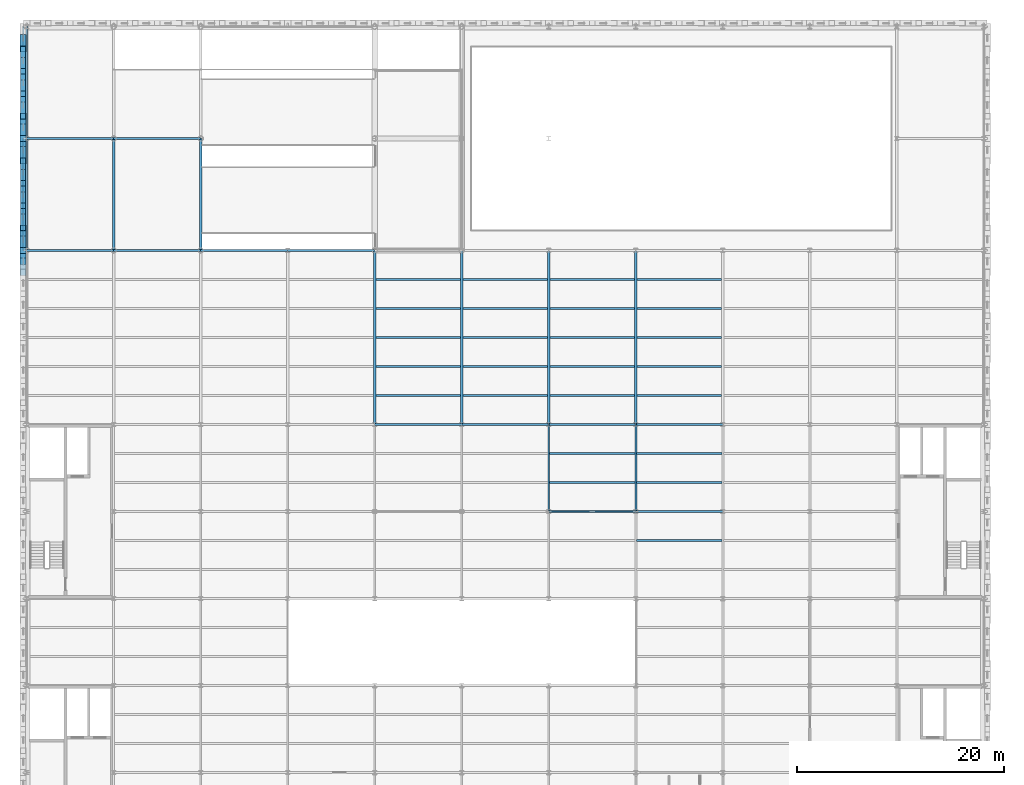
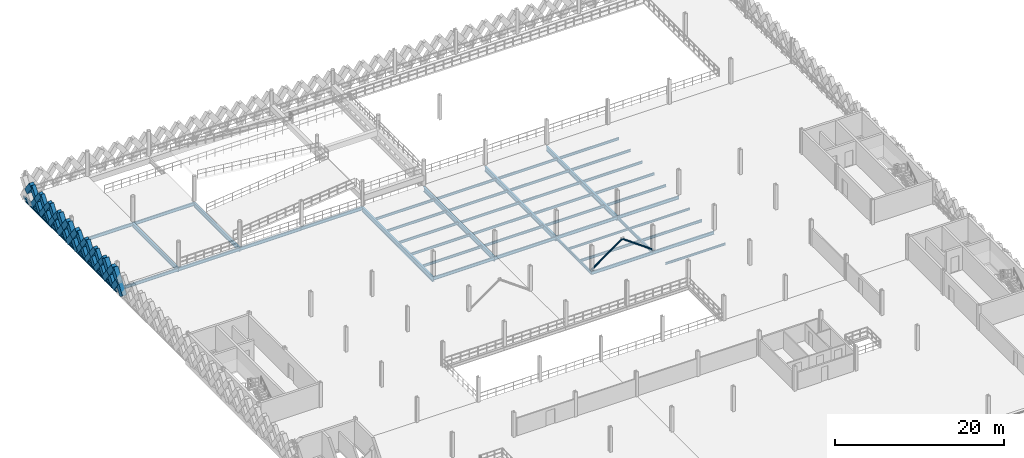
# One storey, part 29 of 79: 47 beams, 34 members.
"""IFC4 building model written with IfcOpenShell, lengths in metres."""

from ifc_helpers import new_model, si_unit, direction, frame, origin, origin_2d, place, context, subcontext, project, spatial, rectangle, hollow_rectangle, hollow_circle, i_section, extrude, material, material_profile, profile_set, type_object, element, save


model = new_model("IFC4")

# Units and contexts
model_context = context("Model", 3, precision=1e-05, world=origin(), true_north=direction((0.0, 1.0)))
body_context = subcontext(model_context, "Body", "Model", "MODEL_VIEW")
ifc_project = project(units=[si_unit("LENGTHUNIT", "METRE"), si_unit("AREAUNIT", "SQUARE_METRE"), si_unit("VOLUMEUNIT", "CUBIC_METRE"), si_unit("PLANEANGLEUNIT", "RADIAN"), si_unit("MASSUNIT", "GRAM", prefix="KILO"), si_unit("THERMODYNAMICTEMPERATUREUNIT", "KELVIN"), si_unit("POWERUNIT", "WATT")], contexts=[model_context])

# Site, building, storey
site_placement = place(None, origin())
site = spatial("IfcSite", under=ifc_project, at=site_placement, CompositionType="ELEMENT")
building_placement = place(site_placement, origin())
building = spatial("IfcBuilding", under=site, at=building_placement, Name="Tembeka Court Mobility Hub", CompositionType="ELEMENT")
storey_placement = place(building_placement, frame((0.0, 0.0, 9.0)))
storey = spatial("IfcBuildingStorey", under=building, at=storey_placement, Name="L02", CompositionType="ELEMENT", Elevation=9.0)

# Beams
ifc_material_1 = material(Name="Steel S355", Category="steel")
ifc_material_profile_1 = material_profile(ifc_material_1, i_section(OverallWidth=0.18994140625, OverallDepth=0.45703125, WebThickness=0.009033203125, FlangeThickness=0.014404296875, FilletRadius=0.01025390625, at=origin_2d()), Name="UKB 457x191x74")
ifc_profile_set_1 = profile_set([ifc_material_profile_1], Name="Steel S355")
beam_type_1 = type_object("IfcBeamType", Name="BM-B01", PredefinedType="BEAM", material=ifc_profile_set_1)
beam_1_placement = place(storey_placement, frame((50.39990234375, 72.0, -0.448486328125), z_axis=(1.0, 0.0, 0.0), x_axis=(0.0, 1.0, 0.0)))
element("IfcBeam", 1, at=beam_1_placement, inside=storey, type_object=beam_type_1, Name="Beam B01 (BM-L02-X1268)", PredefinedType="BEAM", context=body_context, shape_type="SweptSolid", body=[
    extrude(i_section(OverallWidth=0.18994140625, OverallDepth=0.45703125, WebThickness=0.009033203125, FlangeThickness=0.014404296875, FilletRadius=0.01025390625, at=origin_2d()), origin(), (0.0, 0.0, 1.0), 8.400146484375),
])
for number, where, z_axis, x_axis, name in (
    (2, (58.800048828125, 72.0, -0.448486328125), (1.0, 0.0, 0.0), (0.0, 1.0, 0.0), "Beam B01 (BM-L02-X1269)"),
    (3, (33.60009765625, 80.39990234375, -0.448486328125), (1.0, 0.0, 0.0), (0.0, 1.0, 0.0), "Beam B01 (BM-L02-X1276)"),
    (4, (42.0, 80.39990234375, -0.448486328125), (1.0, 0.0, 0.0), (0.0, 1.0, 0.0), "Beam B01 (BM-L02-X1277)"),
):
    element("IfcBeam", number, at=place(storey_placement, frame(where, z_axis=z_axis, x_axis=x_axis)), inside=storey, type_object=beam_type_1, Name=name, PredefinedType="BEAM", context=body_context, shape_type="SweptSolid", body=[
        extrude(i_section(OverallWidth=0.18994140625, OverallDepth=0.45703125, WebThickness=0.009033203125, FlangeThickness=0.014404296875, FilletRadius=0.01025390625, at=origin_2d()), origin(), (0.0, 0.0, 1.0), 8.39990234375),
    ])
beam_2_placement = place(storey_placement, frame((50.39990234375, 80.39990234375, -0.448486328125), z_axis=(1.0, 0.0, 0.0), x_axis=(0.0, 1.0, 0.0)))
element("IfcBeam", 5, at=beam_2_placement, inside=storey, type_object=beam_type_1, Name="Beam B01 (BM-L02-X1278)", PredefinedType="BEAM", context=body_context, shape_type="SweptSolid", body=[
    extrude(i_section(OverallWidth=0.18994140625, OverallDepth=0.45703125, WebThickness=0.009033203125, FlangeThickness=0.014404296875, FilletRadius=0.01025390625, at=origin_2d()), origin(), (0.0, 0.0, 1.0), 8.400146484375),
])
for number, where, z_axis, x_axis, name in (
    (6, (58.800048828125, 80.39990234375, -0.448486328125), (1.0, 0.0, 0.0), (0.0, 1.0, 0.0), "Beam B01 (BM-L02-X1279)"),
    (7, (0.0, 97.199951171875, -0.478515625), (1.0, 0.0, 0.0), (0.0, 1.0, 0.0), "Beam B01 (BM-L02-X1283)"),
):
    element("IfcBeam", number, at=place(storey_placement, frame(where, z_axis=z_axis, x_axis=x_axis)), inside=storey, type_object=beam_type_1, Name=name, PredefinedType="BEAM", context=body_context, shape_type="SweptSolid", body=[
        extrude(i_section(OverallWidth=0.18994140625, OverallDepth=0.45703125, WebThickness=0.009033203125, FlangeThickness=0.014404296875, FilletRadius=0.01025390625, at=origin_2d()), origin(), (0.0, 0.0, 1.0), 8.39990234375),
    ])
beam_3_placement = place(storey_placement, frame((8.39990234375, 97.199951171875, -0.478515625), z_axis=(1.0, 0.0, 0.0), x_axis=(0.0, 1.0, 0.0)))
element("IfcBeam", 8, at=beam_3_placement, inside=storey, type_object=beam_type_1, Name="Beam B01 (BM-L02-X1284)", PredefinedType="BEAM", context=body_context, shape_type="SweptSolid", body=[
    extrude(i_section(OverallWidth=0.18994140625, OverallDepth=0.45703125, WebThickness=0.009033203125, FlangeThickness=0.014404296875, FilletRadius=0.01025390625, at=origin_2d()), origin(), (0.0, 0.0, 1.0), 8.400146484375),
])
beam_4_placement = place(storey_placement, frame((16.800048828125, 97.199951171875, -0.478515625), z_axis=(1.0, 0.0, 0.0), x_axis=(0.0, 1.0, 0.0)))
element("IfcBeam", 9, at=beam_4_placement, inside=storey, type_object=beam_type_1, Name="Beam B01 (BM-L02-X1285)", PredefinedType="BEAM", context=body_context, shape_type="SweptSolid", body=[
    extrude(i_section(OverallWidth=0.18994140625, OverallDepth=0.45703125, WebThickness=0.009033203125, FlangeThickness=0.014404296875, FilletRadius=0.01025390625, at=origin_2d()), origin(), (0.0, 0.0, 1.0), 8.39990234375),
])
beam_5_placement = place(storey_placement, frame((25.199951171875, 97.199951171875, -0.448486328125), z_axis=(1.0, 0.0, 0.0), x_axis=(0.0, 1.0, 0.0)))
element("IfcBeam", 10, at=beam_5_placement, inside=storey, type_object=beam_type_1, Name="Beam B01 (BM-L02-X1286)", PredefinedType="BEAM", context=body_context, shape_type="SweptSolid", body=[
    extrude(i_section(OverallWidth=0.18994140625, OverallDepth=0.45703125, WebThickness=0.009033203125, FlangeThickness=0.014404296875, FilletRadius=0.01025390625, at=origin_2d()), origin(), (0.0, 0.0, 1.0), 8.400146484375),
])
beam_6_placement = place(storey_placement, frame((0.0, 108.0, -0.478515625), z_axis=(1.0, 0.0, 0.0), x_axis=(0.0, 1.0, 0.0)))
element("IfcBeam", 11, at=beam_6_placement, inside=storey, type_object=beam_type_1, Name="Beam B01 (BM-L02-X1294)", PredefinedType="BEAM", context=body_context, shape_type="SweptSolid", body=[
    extrude(i_section(OverallWidth=0.18994140625, OverallDepth=0.45703125, WebThickness=0.009033203125, FlangeThickness=0.014404296875, FilletRadius=0.01025390625, at=origin_2d()), origin(), (0.0, 0.0, 1.0), 8.39990234375),
])
beam_7_placement = place(storey_placement, frame((8.39990234375, 108.0, -0.478515625), z_axis=(1.0, 0.0, 0.0), x_axis=(0.0, 1.0, 0.0)))
element("IfcBeam", 12, at=beam_7_placement, inside=storey, type_object=beam_type_1, Name="Beam B01 (BM-L02-X1295)", PredefinedType="BEAM", context=body_context, shape_type="SweptSolid", body=[
    extrude(i_section(OverallWidth=0.18994140625, OverallDepth=0.45703125, WebThickness=0.009033203125, FlangeThickness=0.014404296875, FilletRadius=0.01025390625, at=origin_2d()), origin(), (0.0, 0.0, 1.0), 8.400146484375),
])
ifc_material_profile_2 = material_profile(ifc_material_1, i_section(OverallWidth=0.177978515625, OverallDepth=0.406005859375, WebThickness=0.0078125, FlangeThickness=0.0126953125, FilletRadius=0.01025390625, at=origin_2d()), Name="UKB 406x178x60")
ifc_profile_set_2 = profile_set([ifc_material_profile_2], Name="Steel S355")
beam_type_2 = type_object("IfcBeamType", Name="BM-B02", PredefinedType="BEAM", material=ifc_profile_set_2)
for number, where, z_axis, x_axis, name in (
    (13, (50.39990234375, 72.0, -0.423095703125), (0.0, 1.0, 0.0), (-1.0, 0.0, 0.0), "Beam B02 (BM-L02-Y1367)"),
    (14, (58.800048828125, 72.0, -0.423095703125), (0.0, 1.0, 0.0), (-1.0, 0.0, 0.0), "Beam B02 (BM-L02-Y1374)"),
):
    element("IfcBeam", number, at=place(storey_placement, frame(where, z_axis=z_axis, x_axis=x_axis)), inside=storey, type_object=beam_type_2, Name=name, PredefinedType="BEAM", context=body_context, shape_type="SweptSolid", body=[
        extrude(i_section(OverallWidth=0.177978515625, OverallDepth=0.406005859375, WebThickness=0.0078125, FlangeThickness=0.0126953125, FilletRadius=0.01025390625, at=origin_2d()), origin(), (0.0, 0.0, 1.0), 8.39990234375),
    ])
ifc_material_profile_3 = material_profile(ifc_material_1, i_section(OverallWidth=0.25390625, OverallDepth=0.68408203125, WebThickness=0.012451171875, FlangeThickness=0.01904296875, FilletRadius=0.01513671875, at=origin_2d()), Name="UKB 686x254x140")
ifc_profile_set_3 = profile_set([ifc_material_profile_3], Name="Steel S355")
beam_type_3 = type_object("IfcBeamType", Name="BM-G01", PredefinedType="USERDEFINED", material=ifc_profile_set_3)
for number, where, z_axis, x_axis, name in (
    (15, (33.60009765625, 80.39990234375, -0.56201171875), (0.0, 1.0, 0.0), (-1.0, 0.0, 0.0), "Beam G01 (BM-L02-Y1352)"),
    (16, (42.0, 80.39990234375, -0.56201171875), (0.0, 1.0, 0.0), (-1.0, 0.0, 0.0), "Beam G01 (BM-L02-Y1360)"),
    (17, (50.39990234375, 80.39990234375, -0.56201171875), (0.0, 1.0, 0.0), (-1.0, 0.0, 0.0), "Beam G01 (BM-L02-Y1368)"),
    (18, (58.800048828125, 80.39990234375, -0.56201171875), (0.0, 1.0, 0.0), (-1.0, 0.0, 0.0), "Beam G01 (BM-L02-Y1375)"),
):
    element("IfcBeam", number, at=place(storey_placement, frame(where, z_axis=z_axis, x_axis=x_axis)), inside=storey, type_object=beam_type_3, Name=name, ObjectType="GIRDER", PredefinedType="USERDEFINED", context=body_context, shape_type="SweptSolid", body=[
        extrude(i_section(OverallWidth=0.25390625, OverallDepth=0.68408203125, WebThickness=0.012451171875, FlangeThickness=0.01904296875, FilletRadius=0.01513671875, at=origin_2d()), origin(), (0.0, 0.0, 1.0), 16.800048828125),
    ])
ifc_material_profile_4 = material_profile(ifc_material_1, i_section(OverallWidth=0.22900390625, OverallDepth=0.612060546875, WebThickness=0.011962890625, FlangeThickness=0.01953125, FilletRadius=0.0126953125, at=origin_2d()), Name="UKB 610x229x125")
ifc_profile_set_4 = profile_set([ifc_material_profile_4], Name="Steel S355")
beam_type_4 = type_object("IfcBeamType", Name="BM-G02", PredefinedType="USERDEFINED", material=ifc_profile_set_4)
for number, where, z_axis, x_axis, name in (
    (19, (0.0, 97.199951171875, -0.52587890625), (0.0, 1.0, 0.0), (-1.0, 0.0, 0.0), "Beam G02 (BM-L02-Y1316)"),
    (20, (0.0, 108.0, -0.52587890625), (0.0, 1.0, 0.0), (-1.0, 0.0, 0.0), "Beam G02 (BM-L02-Y1317)"),
    (21, (8.39990234375, 97.199951171875, -0.555908203125), (0.0, 1.0, 0.0), (-1.0, 0.0, 0.0), "Beam G02 (BM-L02-Y1327)"),
    (22, (16.800048828125, 97.199951171875, -0.555908203125), (0.0, 1.0, 0.0), (-1.0, 0.0, 0.0), "Beam G02 (BM-L02-Y1338)"),
):
    element("IfcBeam", number, at=place(storey_placement, frame(where, z_axis=z_axis, x_axis=x_axis)), inside=storey, type_object=beam_type_4, Name=name, ObjectType="GIRDER", PredefinedType="USERDEFINED", context=body_context, shape_type="SweptSolid", body=[
        extrude(i_section(OverallWidth=0.22900390625, OverallDepth=0.612060546875, WebThickness=0.011962890625, FlangeThickness=0.01953125, FilletRadius=0.0126953125, at=origin_2d()), origin(), (0.0, 0.0, 1.0), 10.800048828125),
    ])
ifc_material_profile_5 = material_profile(ifc_material_1, i_section(OverallWidth=0.172119140625, OverallDepth=0.35498046875, WebThickness=0.00732421875, FlangeThickness=0.011474609375, FilletRadius=0.01025390625, at=origin_2d()), Name="UKB 356x171x51")
ifc_profile_set_5 = profile_set([ifc_material_profile_5], Name="Steel S355")
beam_type_5 = type_object("IfcBeamType", Name="BM-J01", PredefinedType="JOIST", material=ifc_profile_set_5)
for number, where, z_axis, x_axis, name in (
    (23, (33.721923828125, 83.199951171875, -0.3974609375), (1.0, 0.0, 0.0), (0.0, 1.0, 0.0), "Beam J01 (JST-L02-1522)"),
    (24, (33.721923828125, 86.0, -0.3974609375), (1.0, 0.0, 0.0), (0.0, 1.0, 0.0), "Beam J01 (JST-L02-1523)"),
    (25, (33.721923828125, 88.800048828125, -0.3974609375), (1.0, 0.0, 0.0), (0.0, 1.0, 0.0), "Beam J01 (JST-L02-1524)"),
    (26, (33.721923828125, 91.60009765625, -0.3974609375), (1.0, 0.0, 0.0), (0.0, 1.0, 0.0), "Beam J01 (JST-L02-1525)"),
    (27, (33.721923828125, 94.39990234375, -0.3974609375), (1.0, 0.0, 0.0), (0.0, 1.0, 0.0), "Beam J01 (JST-L02-1526)"),
    (28, (42.1220703125, 83.199951171875, -0.3974609375), (1.0, 0.0, 0.0), (0.0, 1.0, 0.0), "Beam J01 (JST-L02-1540)"),
    (29, (42.1220703125, 86.0, -0.3974609375), (1.0, 0.0, 0.0), (0.0, 1.0, 0.0), "Beam J01 (JST-L02-1541)"),
    (30, (42.1220703125, 88.800048828125, -0.3974609375), (1.0, 0.0, 0.0), (0.0, 1.0, 0.0), "Beam J01 (JST-L02-1542)"),
    (31, (42.1220703125, 91.60009765625, -0.3974609375), (1.0, 0.0, 0.0), (0.0, 1.0, 0.0), "Beam J01 (JST-L02-1543)"),
    (32, (42.1220703125, 94.39990234375, -0.3974609375), (1.0, 0.0, 0.0), (0.0, 1.0, 0.0), "Beam J01 (JST-L02-1544)"),
    (33, (50.52197265625, 83.199951171875, -0.3974609375), (1.0, 0.0, 0.0), (0.0, 1.0, 0.0), "Beam J01 (JST-L02-1558)"),
    (34, (50.52197265625, 86.0, -0.3974609375), (1.0, 0.0, 0.0), (0.0, 1.0, 0.0), "Beam J01 (JST-L02-1559)"),
    (35, (50.52197265625, 88.800048828125, -0.3974609375), (1.0, 0.0, 0.0), (0.0, 1.0, 0.0), "Beam J01 (JST-L02-1560)"),
    (36, (50.52197265625, 91.60009765625, -0.3974609375), (1.0, 0.0, 0.0), (0.0, 1.0, 0.0), "Beam J01 (JST-L02-1561)"),
    (37, (50.52197265625, 94.39990234375, -0.3974609375), (1.0, 0.0, 0.0), (0.0, 1.0, 0.0), "Beam J01 (JST-L02-1562)"),
):
    element("IfcBeam", number, at=place(storey_placement, frame(where, z_axis=z_axis, x_axis=x_axis)), inside=storey, type_object=beam_type_5, Name=name, PredefinedType="JOIST", context=body_context, shape_type="SweptSolid", body=[
        extrude(i_section(OverallWidth=0.172119140625, OverallDepth=0.35498046875, WebThickness=0.00732421875, FlangeThickness=0.011474609375, FilletRadius=0.01025390625, at=origin_2d()), origin(), (0.0, 0.0, 1.0), 8.156005859375),
    ])
for number, where, z_axis, x_axis, name in (
    (38, (58.922119140625, 83.199951171875, -0.3974609375), (1.0, 0.0, 0.0), (0.0, 1.0, 0.0), "Beam J01 (JST-L02-1578)"),
    (39, (58.922119140625, 86.0, -0.3974609375), (1.0, 0.0, 0.0), (0.0, 1.0, 0.0), "Beam J01 (JST-L02-1579)"),
    (40, (58.922119140625, 88.800048828125, -0.3974609375), (1.0, 0.0, 0.0), (0.0, 1.0, 0.0), "Beam J01 (JST-L02-1580)"),
    (41, (58.922119140625, 91.60009765625, -0.3974609375), (1.0, 0.0, 0.0), (0.0, 1.0, 0.0), "Beam J01 (JST-L02-1581)"),
    (42, (58.922119140625, 94.39990234375, -0.3974609375), (1.0, 0.0, 0.0), (0.0, 1.0, 0.0), "Beam J01 (JST-L02-1582)"),
):
    element("IfcBeam", number, at=place(storey_placement, frame(where, z_axis=z_axis, x_axis=x_axis)), inside=storey, type_object=beam_type_5, Name=name, PredefinedType="JOIST", context=body_context, shape_type="SweptSolid", body=[
        extrude(i_section(OverallWidth=0.172119140625, OverallDepth=0.35498046875, WebThickness=0.00732421875, FlangeThickness=0.011474609375, FilletRadius=0.01025390625, at=origin_2d()), origin(), (0.0, 0.0, 1.0), 8.15576171875),
    ])
ifc_material_profile_6 = material_profile(ifc_material_1, i_section(OverallWidth=0.1650390625, OverallDepth=0.303955078125, WebThickness=0.006103515625, FlangeThickness=0.01025390625, FilletRadius=0.0087890625, at=origin_2d()), Name="UKB 305x165x40")
ifc_profile_set_6 = profile_set([ifc_material_profile_6], Name="Steel S355")
beam_type_6 = type_object("IfcBeamType", Name="BM-J02", PredefinedType="JOIST", material=ifc_profile_set_6)
beam_8_placement = place(storey_placement, frame((50.48388671875, 77.60009765625, -0.3720703125), z_axis=(1.0, 0.0, 0.0), x_axis=(0.0, 1.0, 0.0)))
element("IfcBeam", 43, at=beam_8_placement, inside=storey, type_object=beam_type_6, Name="Beam J02 (JST-L02-1557)", PredefinedType="JOIST", context=body_context, shape_type="SweptSolid", body=[
    extrude(i_section(OverallWidth=0.1650390625, OverallDepth=0.303955078125, WebThickness=0.006103515625, FlangeThickness=0.01025390625, FilletRadius=0.0087890625, at=origin_2d()), origin(), (0.0, 0.0, 1.0), 8.232177734375),
])
for number, where, z_axis, x_axis, name in (
    (44, (58.884033203125, 69.199951171875, -0.3720703125), (1.0, 0.0, 0.0), (0.0, 1.0, 0.0), "Beam J02 (JST-L02-1575)"),
    (45, (58.884033203125, 77.60009765625, -0.3720703125), (1.0, 0.0, 0.0), (0.0, 1.0, 0.0), "Beam J02 (JST-L02-1577)"),
):
    element("IfcBeam", number, at=place(storey_placement, frame(where, z_axis=z_axis, x_axis=x_axis)), inside=storey, type_object=beam_type_6, Name=name, PredefinedType="JOIST", context=body_context, shape_type="SweptSolid", body=[
        extrude(i_section(OverallWidth=0.1650390625, OverallDepth=0.303955078125, WebThickness=0.006103515625, FlangeThickness=0.01025390625, FilletRadius=0.0087890625, at=origin_2d()), origin(), (0.0, 0.0, 1.0), 8.23193359375),
    ])
ifc_material_profile_7 = material_profile(ifc_material_1, i_section(OverallWidth=0.169921875, OverallDepth=0.360107421875, WebThickness=0.008056640625, FlangeThickness=0.0126953125, FilletRadius=0.01806640625, at=origin_2d()), Name="IPE 360")
ifc_profile_set_7 = profile_set([ifc_material_profile_7], Name="Steel S355")
beam_type_7 = type_object("IfcBeamType", Name="BM-J03", PredefinedType="JOIST", material=ifc_profile_set_7)
beam_9_placement = place(storey_placement, frame((50.48388671875, 74.800048828125, -0.39990234375), z_axis=(1.0, 0.0, 0.0), x_axis=(0.0, 1.0, 0.0)))
element("IfcBeam", 46, at=beam_9_placement, inside=storey, type_object=beam_type_7, Name="Beam J03 (JST-L02-1556)", PredefinedType="JOIST", context=body_context, shape_type="SweptSolid", body=[
    extrude(i_section(OverallWidth=0.169921875, OverallDepth=0.360107421875, WebThickness=0.008056640625, FlangeThickness=0.0126953125, FilletRadius=0.01806640625, at=origin_2d()), origin(), (0.0, 0.0, 1.0), 8.232177734375),
])
beam_10_placement = place(storey_placement, frame((58.884033203125, 74.800048828125, -0.39990234375), z_axis=(1.0, 0.0, 0.0), x_axis=(0.0, 1.0, 0.0)))
element("IfcBeam", 47, at=beam_10_placement, inside=storey, type_object=beam_type_7, Name="Beam J03 (JST-L02-1576)", PredefinedType="JOIST", context=body_context, shape_type="SweptSolid", body=[
    extrude(i_section(OverallWidth=0.169921875, OverallDepth=0.360107421875, WebThickness=0.008056640625, FlangeThickness=0.0126953125, FilletRadius=0.01806640625, at=origin_2d()), origin(), (0.0, 0.0, 1.0), 8.23193359375),
])

# Members
ifc_material_profile_8 = material_profile(ifc_material_1, hollow_circle(Radius=0.109619140625, WallThickness=0.010009765625, at=origin_2d()), Name="CHS 219.1x10")
ifc_profile_set_8 = profile_set([ifc_material_profile_8], Name="Steel S355")
member_type_1 = type_object("IfcMemberType", Name="MEM-BR01", PredefinedType="BRACE", material=ifc_profile_set_8)
for number, where, z_axis, x_axis, name in (
    (48, (50.39990234375, 72.0, 0.02001953125), (0.810994842677, 0.0, 0.58505330112), (0.0, 1.0, 0.0), "Steel chevron brace BR01 (L02-9A)"),
    (49, (58.800048828125, 72.0, 0.02001953125), (-0.81097870636, 0.0, 0.585075668466), (0.0, -1.0, 0.0), "Steel chevron brace BR01 (L02-9B)"),
):
    element("IfcMember", number, at=place(storey_placement, frame(where, z_axis=z_axis, x_axis=x_axis)), inside=storey, type_object=member_type_1, Name=name, PredefinedType="BRACE", context=body_context, shape_type="SweptSolid", body=[
        extrude(hollow_circle(Radius=0.109619140625, WallThickness=0.010009765625, at=origin_2d()), origin(), (0.0, 0.0, 1.0), 5.178955078125),
    ])
ifc_material_2 = material(Name="Precast concrete C45/55", Category="concrete")
ifc_material_profile_9 = material_profile(ifc_material_2, rectangle(XDim=0.5, YDim=0.64990234375, at=origin_2d()), Name="PC-DIAG 500x650")
ifc_profile_set_9 = profile_set([ifc_material_profile_9], Name="Precast concrete C45/55")
member_type_2 = type_object("IfcMemberType", Name="MEM-DL01", PredefinedType="BRACE", material=ifc_profile_set_9)
member_1_placement = place(storey_placement, frame((-0.340087890625, 99.360107421875, 0.02001953125), z_axis=(0.0, 0.593379766398, 0.804922637792), x_axis=(-1.0, 0.0, 0.0)))
element("IfcMember", 50, at=member_1_placement, inside=storey, type_object=member_type_2, Name="Precast diamond lattice continuous strand DL01 (L02-324C)", PredefinedType="BRACE", context=body_context, shape_type="SweptSolid", body=[
    extrude(rectangle(XDim=0.5, YDim=0.64990234375, at=origin_2d()), origin(), (0.0, 0.0, 1.0), 3.64013671875),
])
member_2_placement = place(storey_placement, frame((-0.340087890625, 101.52001953125, 0.02001953125), z_axis=(0.0, -0.593391185876, 0.804914219358), x_axis=(1.0, 0.0, 0.0)))
element("IfcMember", 51, at=member_2_placement, inside=storey, type_object=member_type_2, Name="Precast diamond lattice split lower strand DL01 (L02-324D1)", PredefinedType="BRACE", context=body_context, shape_type="SweptSolid", body=[
    extrude(rectangle(XDim=0.5, YDim=0.64990234375, at=origin_2d()), origin(), (0.0, 0.0, 1.0), 1.820068359375),
])
member_3_placement = place(storey_placement, frame((-0.340087890625, 100.43994140625, 1.485107421875), z_axis=(0.0, -0.593368344659, 0.804931057642), x_axis=(1.0, 0.0, 0.0)))
element("IfcMember", 52, at=member_3_placement, inside=storey, type_object=member_type_2, Name="Precast diamond lattice split upper strand DL01 (L02-324D2)", PredefinedType="BRACE", context=body_context, shape_type="SweptSolid", body=[
    extrude(rectangle(XDim=0.5, YDim=0.64990234375, at=origin_2d()), origin(), (0.0, 0.0, 1.0), 1.81982421875),
])
member_4_placement = place(storey_placement, frame((-0.340087890625, 101.52001953125, 0.02001953125), z_axis=(0.0, 0.593379766398, 0.804922637792), x_axis=(-1.0, 0.0, 0.0)))
element("IfcMember", 53, at=member_4_placement, inside=storey, type_object=member_type_2, Name="Precast diamond lattice continuous strand DL01 (L02-325C)", PredefinedType="BRACE", context=body_context, shape_type="SweptSolid", body=[
    extrude(rectangle(XDim=0.5, YDim=0.64990234375, at=origin_2d()), origin(), (0.0, 0.0, 1.0), 3.64013671875),
])
for number, where, z_axis, x_axis, name in (
    (54, (-0.340087890625, 103.679931640625, 0.02001953125), (0.0, -0.593304274421, 0.804978284151), (1.0, 0.0, 0.0), "Precast diamond lattice split lower strand DL01 (L02-325D1)"),
    (55, (-0.340087890625, 102.60009765625, 1.485107421875), (0.0, -0.593455255298, 0.804866982773), (1.0, 0.0, 0.0), "Precast diamond lattice split upper strand DL01 (L02-325D2)"),
):
    element("IfcMember", number, at=place(storey_placement, frame(where, z_axis=z_axis, x_axis=x_axis)), inside=storey, type_object=member_type_2, Name=name, PredefinedType="BRACE", context=body_context, shape_type="SweptSolid", body=[
        extrude(rectangle(XDim=0.5, YDim=0.64990234375, at=origin_2d()), origin(), (0.0, 0.0, 1.0), 1.820068359375),
    ])
member_5_placement = place(storey_placement, frame((-0.340087890625, 103.679931640625, 0.02001953125), z_axis=(0.0, 0.593423219328, 0.804890602978), x_axis=(-1.0, 0.0, 0.0)))
element("IfcMember", 56, at=member_5_placement, inside=storey, type_object=member_type_2, Name="Precast diamond lattice continuous strand DL01 (L02-326C)", PredefinedType="BRACE", context=body_context, shape_type="SweptSolid", body=[
    extrude(rectangle(XDim=0.5, YDim=0.64990234375, at=origin_2d()), origin(), (0.0, 0.0, 1.0), 3.64013671875),
])
for number, where, z_axis, x_axis, name in (
    (57, (-0.340087890625, 105.840087890625, 0.02001953125), (0.0, -0.593391185876, 0.804914219358), (1.0, 0.0, 0.0), "Precast diamond lattice split lower strand DL01 (L02-326D1)"),
    (58, (-0.340087890625, 104.760009765625, 1.485107421875), (0.0, -0.593455255298, 0.804866982773), (1.0, 0.0, 0.0), "Precast diamond lattice split upper strand DL01 (L02-326D2)"),
):
    element("IfcMember", number, at=place(storey_placement, frame(where, z_axis=z_axis, x_axis=x_axis)), inside=storey, type_object=member_type_2, Name=name, PredefinedType="BRACE", context=body_context, shape_type="SweptSolid", body=[
        extrude(rectangle(XDim=0.5, YDim=0.64990234375, at=origin_2d()), origin(), (0.0, 0.0, 1.0), 1.820068359375),
    ])
member_6_placement = place(storey_placement, frame((-0.340087890625, 110.159912109375, 0.02001953125), z_axis=(0.0, 0.593423219328, 0.804890602978), x_axis=(-1.0, 0.0, 0.0)))
element("IfcMember", 59, at=member_6_placement, inside=storey, type_object=member_type_2, Name="Precast diamond lattice continuous strand DL01 (L02-329C)", PredefinedType="BRACE", context=body_context, shape_type="SweptSolid", body=[
    extrude(rectangle(XDim=0.5, YDim=0.64990234375, at=origin_2d()), origin(), (0.0, 0.0, 1.0), 3.64013671875),
])
for number, where, z_axis, x_axis, name in (
    (60, (-0.340087890625, 112.320068359375, 0.02001953125), (0.0, -0.593391185876, 0.804914219358), (1.0, 0.0, 0.0), "Precast diamond lattice split lower strand DL01 (L02-329D1)"),
    (61, (-0.340087890625, 111.239990234375, 1.485107421875), (0.0, -0.593455255298, 0.804866982773), (1.0, 0.0, 0.0), "Precast diamond lattice split upper strand DL01 (L02-329D2)"),
):
    element("IfcMember", number, at=place(storey_placement, frame(where, z_axis=z_axis, x_axis=x_axis)), inside=storey, type_object=member_type_2, Name=name, PredefinedType="BRACE", context=body_context, shape_type="SweptSolid", body=[
        extrude(rectangle(XDim=0.5, YDim=0.64990234375, at=origin_2d()), origin(), (0.0, 0.0, 1.0), 1.820068359375),
    ])
member_7_placement = place(storey_placement, frame((-0.340087890625, 112.320068359375, 0.02001953125), z_axis=(0.0, 0.593379766398, 0.804922637792), x_axis=(-1.0, 0.0, 0.0)))
element("IfcMember", 62, at=member_7_placement, inside=storey, type_object=member_type_2, Name="Precast diamond lattice continuous strand DL01 (L02-330C)", PredefinedType="BRACE", context=body_context, shape_type="SweptSolid", body=[
    extrude(rectangle(XDim=0.5, YDim=0.64990234375, at=origin_2d()), origin(), (0.0, 0.0, 1.0), 3.64013671875),
])
member_8_placement = place(storey_placement, frame((-0.340087890625, 114.47998046875, 0.02001953125), z_axis=(0.0, -0.593391185876, 0.804914219358), x_axis=(1.0, 0.0, 0.0)))
element("IfcMember", 63, at=member_8_placement, inside=storey, type_object=member_type_2, Name="Precast diamond lattice split lower strand DL01 (L02-330D1)", PredefinedType="BRACE", context=body_context, shape_type="SweptSolid", body=[
    extrude(rectangle(XDim=0.5, YDim=0.64990234375, at=origin_2d()), origin(), (0.0, 0.0, 1.0), 1.820068359375),
])
member_9_placement = place(storey_placement, frame((-0.340087890625, 113.39990234375, 1.485107421875), z_axis=(0.0, -0.593368344659, 0.804931057642), x_axis=(1.0, 0.0, 0.0)))
element("IfcMember", 64, at=member_9_placement, inside=storey, type_object=member_type_2, Name="Precast diamond lattice split upper strand DL01 (L02-330D2)", PredefinedType="BRACE", context=body_context, shape_type="SweptSolid", body=[
    extrude(rectangle(XDim=0.5, YDim=0.64990234375, at=origin_2d()), origin(), (0.0, 0.0, 1.0), 1.81982421875),
])
member_10_placement = place(storey_placement, frame((-0.340087890625, 114.47998046875, 0.02001953125), z_axis=(0.0, 0.593379766398, 0.804922637792), x_axis=(-1.0, 0.0, 0.0)))
element("IfcMember", 65, at=member_10_placement, inside=storey, type_object=member_type_2, Name="Precast diamond lattice continuous strand DL01 (L02-331C)", PredefinedType="BRACE", context=body_context, shape_type="SweptSolid", body=[
    extrude(rectangle(XDim=0.5, YDim=0.64990234375, at=origin_2d()), origin(), (0.0, 0.0, 1.0), 3.64013671875),
])
for number, where, z_axis, x_axis, name in (
    (66, (-0.340087890625, 116.639892578125, 0.02001953125), (0.0, -0.593304274421, 0.804978284151), (1.0, 0.0, 0.0), "Precast diamond lattice split lower strand DL01 (L02-331D1)"),
    (67, (-0.340087890625, 115.56005859375, 1.485107421875), (0.0, -0.593455255298, 0.804866982773), (1.0, 0.0, 0.0), "Precast diamond lattice split upper strand DL01 (L02-331D2)"),
):
    element("IfcMember", number, at=place(storey_placement, frame(where, z_axis=z_axis, x_axis=x_axis)), inside=storey, type_object=member_type_2, Name=name, PredefinedType="BRACE", context=body_context, shape_type="SweptSolid", body=[
        extrude(rectangle(XDim=0.5, YDim=0.64990234375, at=origin_2d()), origin(), (0.0, 0.0, 1.0), 1.820068359375),
    ])
ifc_material_profile_10 = material_profile(ifc_material_2, rectangle(XDim=0.60009765625, YDim=0.75, at=origin_2d()), Name="PC-DIAG 600x750")
ifc_profile_set_10 = profile_set([ifc_material_profile_10], Name="Precast concrete C45/55")
member_type_3 = type_object("IfcMemberType", Name="MEM-DL02", PredefinedType="BRACE", material=ifc_profile_set_10)
member_11_placement = place(storey_placement, frame((-0.340087890625, 95.10009765625, 0.02001953125), z_axis=(0.0, 0.58253161945, 0.812808041509), x_axis=(-1.0, 0.0, 0.0)))
element("IfcMember", 68, at=member_11_placement, inside=storey, type_object=member_type_3, Name="Precast diamond lattice continuous strand DL02 (L02-322C)", PredefinedType="BRACE", context=body_context, shape_type="SweptSolid", body=[
    extrude(rectangle(XDim=0.60009765625, YDim=0.75, at=origin_2d()), origin(), (0.0, 0.0, 1.0), 3.604736328125),
])
member_12_placement = place(storey_placement, frame((-0.340087890625, 97.199951171875, 0.02001953125), z_axis=(0.0, -0.582544294934, 0.812798956963), x_axis=(1.0, 0.0, 0.0)))
element("IfcMember", 69, at=member_12_placement, inside=storey, type_object=member_type_3, Name="Precast diamond lattice split lower strand DL02 (L02-322D1)", PredefinedType="BRACE", context=body_context, shape_type="SweptSolid", body=[
    extrude(rectangle(XDim=0.60009765625, YDim=0.75, at=origin_2d()), origin(), (0.0, 0.0, 1.0), 1.802490234375),
])
member_13_placement = place(storey_placement, frame((-0.340087890625, 97.199951171875, 0.02001953125), z_axis=(0.0, 0.593423219328, 0.804890602978), x_axis=(-1.0, 0.0, 0.0)))
element("IfcMember", 70, at=member_13_placement, inside=storey, type_object=member_type_3, Name="Precast diamond lattice continuous strand DL02 (L02-323C)", PredefinedType="BRACE", context=body_context, shape_type="SweptSolid", body=[
    extrude(rectangle(XDim=0.60009765625, YDim=0.75, at=origin_2d()), origin(), (0.0, 0.0, 1.0), 3.64013671875),
])
for number, where, z_axis, x_axis, name in (
    (71, (-0.340087890625, 99.360107421875, 0.02001953125), (0.0, -0.593391185876, 0.804914219358), (1.0, 0.0, 0.0), "Precast diamond lattice split lower strand DL02 (L02-323D1)"),
    (72, (-0.340087890625, 98.280029296875, 1.485107421875), (0.0, -0.593455255298, 0.804866982773), (1.0, 0.0, 0.0), "Precast diamond lattice split upper strand DL02 (L02-323D2)"),
):
    element("IfcMember", number, at=place(storey_placement, frame(where, z_axis=z_axis, x_axis=x_axis)), inside=storey, type_object=member_type_3, Name=name, PredefinedType="BRACE", context=body_context, shape_type="SweptSolid", body=[
        extrude(rectangle(XDim=0.60009765625, YDim=0.75, at=origin_2d()), origin(), (0.0, 0.0, 1.0), 1.820068359375),
    ])
member_14_placement = place(storey_placement, frame((-0.340087890625, 105.840087890625, 0.02001953125), z_axis=(0.0, 0.593379766398, 0.804922637792), x_axis=(-1.0, 0.0, 0.0)))
element("IfcMember", 73, at=member_14_placement, inside=storey, type_object=member_type_3, Name="Precast diamond lattice continuous strand DL02 (L02-327C)", PredefinedType="BRACE", context=body_context, shape_type="SweptSolid", body=[
    extrude(rectangle(XDim=0.60009765625, YDim=0.75, at=origin_2d()), origin(), (0.0, 0.0, 1.0), 3.64013671875),
])
member_15_placement = place(storey_placement, frame((-0.340087890625, 108.0, 0.02001953125), z_axis=(0.0, -0.593391185876, 0.804914219358), x_axis=(1.0, 0.0, 0.0)))
element("IfcMember", 74, at=member_15_placement, inside=storey, type_object=member_type_3, Name="Precast diamond lattice split lower strand DL02 (L02-327D1)", PredefinedType="BRACE", context=body_context, shape_type="SweptSolid", body=[
    extrude(rectangle(XDim=0.60009765625, YDim=0.75, at=origin_2d()), origin(), (0.0, 0.0, 1.0), 1.820068359375),
])
member_16_placement = place(storey_placement, frame((-0.340087890625, 106.919921875, 1.485107421875), z_axis=(0.0, -0.593368344659, 0.804931057642), x_axis=(1.0, 0.0, 0.0)))
element("IfcMember", 75, at=member_16_placement, inside=storey, type_object=member_type_3, Name="Precast diamond lattice split upper strand DL02 (L02-327D2)", PredefinedType="BRACE", context=body_context, shape_type="SweptSolid", body=[
    extrude(rectangle(XDim=0.60009765625, YDim=0.75, at=origin_2d()), origin(), (0.0, 0.0, 1.0), 1.81982421875),
])
member_17_placement = place(storey_placement, frame((-0.340087890625, 108.0, 0.02001953125), z_axis=(0.0, 0.593379766398, 0.804922637792), x_axis=(-1.0, 0.0, 0.0)))
element("IfcMember", 76, at=member_17_placement, inside=storey, type_object=member_type_3, Name="Precast diamond lattice continuous strand DL02 (L02-328C)", PredefinedType="BRACE", context=body_context, shape_type="SweptSolid", body=[
    extrude(rectangle(XDim=0.60009765625, YDim=0.75, at=origin_2d()), origin(), (0.0, 0.0, 1.0), 3.64013671875),
])
for number, where, z_axis, x_axis, name in (
    (77, (-0.340087890625, 110.159912109375, 0.02001953125), (0.0, -0.593304274421, 0.804978284151), (1.0, 0.0, 0.0), "Precast diamond lattice split lower strand DL02 (L02-328D1)"),
    (78, (-0.340087890625, 109.080078125, 1.485107421875), (0.0, -0.593455255298, 0.804866982773), (1.0, 0.0, 0.0), "Precast diamond lattice split upper strand DL02 (L02-328D2)"),
    (79, (-0.340087890625, 117.719970703125, 1.485107421875), (0.0, -0.593455255298, 0.804866982773), (1.0, 0.0, 0.0), "Precast diamond lattice split upper strand DL02 (L02-332D2)"),
):
    element("IfcMember", number, at=place(storey_placement, frame(where, z_axis=z_axis, x_axis=x_axis)), inside=storey, type_object=member_type_3, Name=name, PredefinedType="BRACE", context=body_context, shape_type="SweptSolid", body=[
        extrude(rectangle(XDim=0.60009765625, YDim=0.75, at=origin_2d()), origin(), (0.0, 0.0, 1.0), 1.820068359375),
    ])
ifc_material_profile_11 = material_profile(ifc_material_1, hollow_rectangle(XDim=0.14990234375, YDim=0.300048828125, WallThickness=0.010009765625, at=origin_2d()), Name="RHS 300x150x10")
ifc_profile_set_11 = profile_set([ifc_material_profile_11], Name="Steel S355")
member_type_4 = type_object("IfcMemberType", Name="MEM-ST03", PredefinedType="STRUT", material=ifc_profile_set_11)
for number, where, z_axis, x_axis, name in (
    (80, (-0.340087890625, 97.199951171875, 0.02001953125), (0.0, 1.0, 0.0), (-1.0, 0.0, 0.0), "Proud lattice sill tie chord SR03 (L02-W-97)"),
    (81, (-0.340087890625, 108.0, 0.02001953125), (0.0, 1.0, 0.0), (-1.0, 0.0, 0.0), "Proud lattice sill tie chord SR03 (L02-W-108)"),
):
    element("IfcMember", number, at=place(storey_placement, frame(where, z_axis=z_axis, x_axis=x_axis)), inside=storey, type_object=member_type_4, Name=name, PredefinedType="STRUT", context=body_context, shape_type="SweptSolid", body=[
        extrude(hollow_rectangle(XDim=0.14990234375, YDim=0.300048828125, WallThickness=0.010009765625, at=origin_2d()), origin(), (0.0, 0.0, 1.0), 10.800048828125),
    ])

save(model, "model.ifc")
